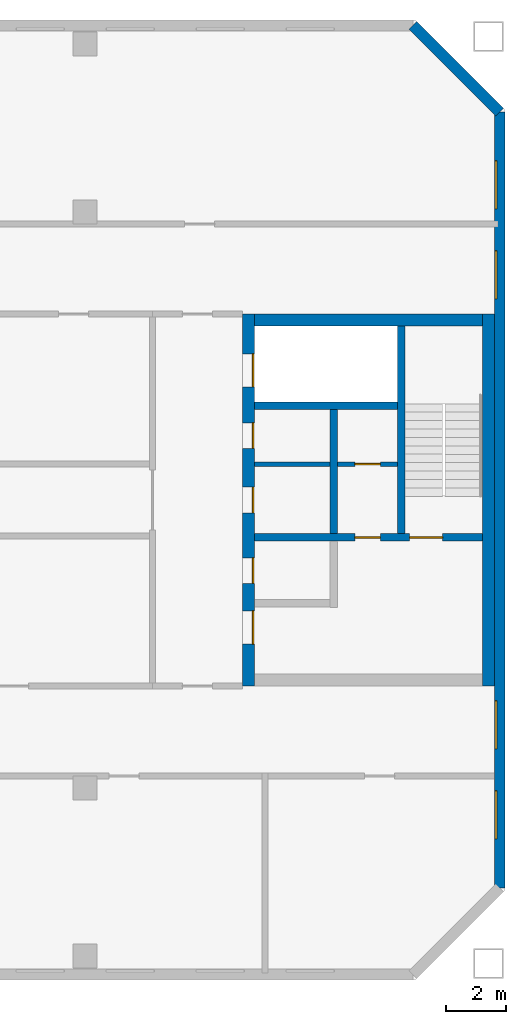
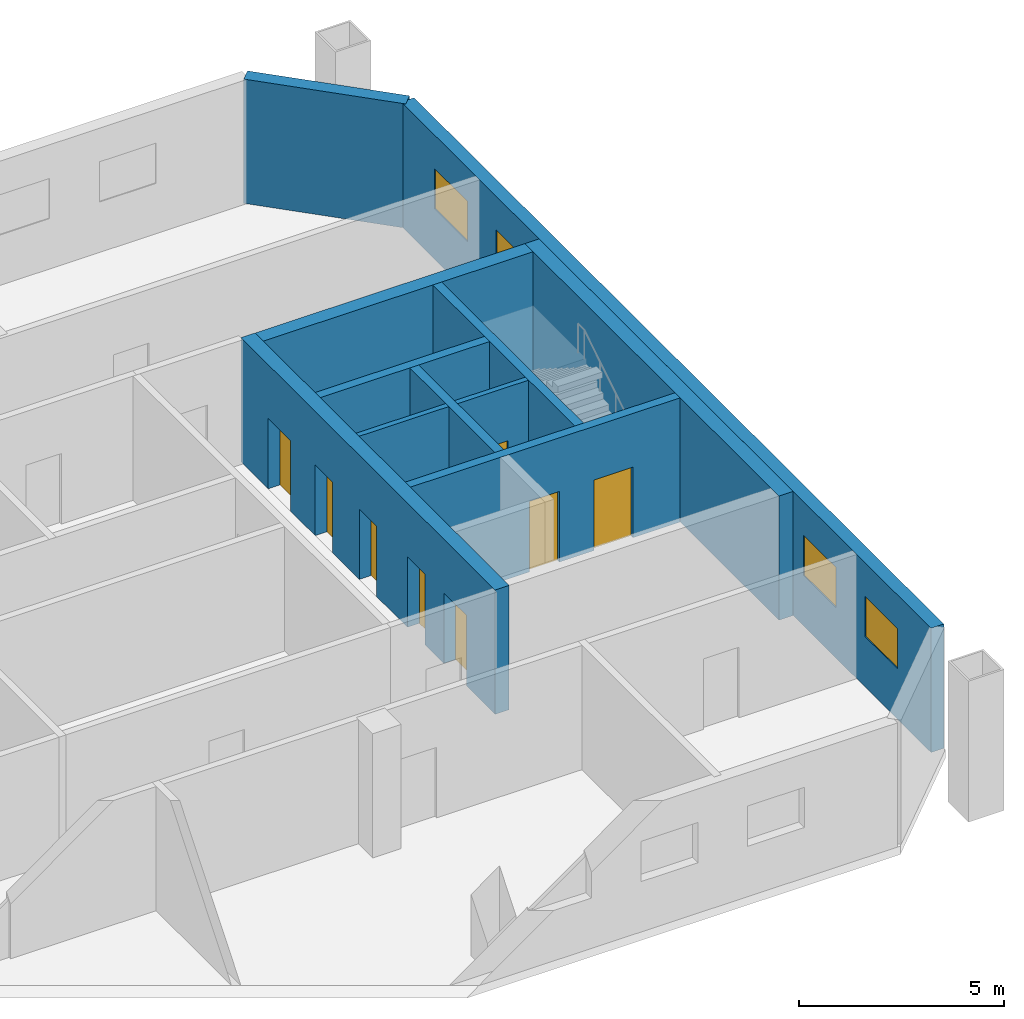
# One storey, part 11 of 13: 11 walls, 8 doors, 4 windows, 12 openings.
"""IFC4 building model written with IfcOpenShell, lengths in metres."""

import ifcopenshell
import ifcopenshell.guid

model = None  # the IFC model being written
_history = None  # IfcOwnerHistory: only IFC2X3 demands one
_inside = {}  # id of a spatial element -> (the spatial element, [elements in it])
_under = {}  # id of a project, library or spatial element -> (it, [spatial elements below it])
_declared = {}  # id of a project -> (the project, [libraries it declares])
_typed = {}  # id of a type object -> (the type object, [elements of that type])
_made_of = {}  # id of a material, layer set ... -> (it, [elements and type objects made of it])


def new_model(schema):
    """Start an empty IFC model of exactly this schema.

    Asked for "IFC4X3", IfcOpenShell would pick the latest addendum, in which some entities
    have other attributes; the version numbers below select the first issue.
    IFC2X3 requires an IfcOwnerHistory on every rooted entity: one is made here for all.
    """
    global model, _history
    if schema == "IFC4X3":
        model = ifcopenshell.file(schema_version=(4, 3, 0, 0))
    else:
        model = ifcopenshell.file(schema=schema)
    _inside.clear()
    _under.clear()
    _declared.clear()
    _typed.clear()
    _made_of.clear()
    _history = None
    if model.schema == "IFC2X3":
        org = make("IfcOrganization", Name="unknown")
        user = make(
            "IfcPersonAndOrganization",
            ThePerson=make("IfcPerson", FamilyName="unknown"),
            TheOrganization=org,
        )
        app = make(
            "IfcApplication",
            ApplicationDeveloper=org,
            Version="unknown",
            ApplicationFullName="unknown",
            ApplicationIdentifier="unknown",
        )
        _history = make(
            "IfcOwnerHistory",
            OwningUser=user,
            OwningApplication=app,
            ChangeAction="ADDED",
            CreationDate=0,
        )
    return model


def make(cls, **values):
    """One entity of the class cls with the attributes given. An attribute that is None is left unset."""
    return model.create_entity(
        cls, **{name: value for name, value in values.items() if value is not None}
    )


def rooted(cls, **values):
    """An entity with a GlobalId (a new one), such as an element, a storey or a relation."""
    return make(cls, GlobalId=ifcopenshell.guid.new(), OwnerHistory=_history, **values)


def si_unit(unit_type, name, prefix=None):
    """IfcSIUnit, for example si_unit("LENGTHUNIT", "METRE", prefix="MILLI")."""
    return make("IfcSIUnit", UnitType=unit_type, Prefix=prefix, Name=name)


def assignment(units):
    """IfcUnitAssignment: the units of a project."""
    return None if units is None else make("IfcUnitAssignment", Units=units)


def point(xyz):
    """IfcCartesianPoint."""
    return None if xyz is None else make("IfcCartesianPoint", Coordinates=xyz)


def direction(xyz):
    """IfcDirection."""
    return None if xyz is None else make("IfcDirection", DirectionRatios=xyz)


def frame(location, z_axis=None, x_axis=None):
    """IfcAxis2Placement3D, a coordinate frame: its origin and axes. An axis left out is left unset."""
    return make(
        "IfcAxis2Placement3D",
        Location=point(location),
        Axis=direction(z_axis),
        RefDirection=direction(x_axis),
    )


def frame_2d(location, x_axis=None):
    """IfcAxis2Placement2D, a coordinate frame in the plane: its origin and x axis."""
    return make(
        "IfcAxis2Placement2D", Location=point(location), RefDirection=direction(x_axis)
    )


def origin():
    """The frame at (0, 0, 0) with its axes left unset."""
    return frame((0.0, 0.0, 0.0))


def place(relative_to, where):
    """IfcLocalPlacement: puts the frame where relative to a parent placement (None: the world)."""
    return make(
        "IfcLocalPlacement", PlacementRelTo=relative_to, RelativePlacement=where
    )


def context(
    kind, dimensions, precision=None, world=None, true_north=None, identifier=None
):
    """IfcGeometricRepresentationContext, for example the 3D "Model" context."""
    return make(
        "IfcGeometricRepresentationContext",
        ContextIdentifier=identifier,
        ContextType=kind,
        CoordinateSpaceDimension=dimensions,
        Precision=precision,
        WorldCoordinateSystem=world,
        TrueNorth=true_north,
    )


def subcontext(parent, identifier, kind, view, scale=None):
    """IfcGeometricRepresentationSubContext, for example "Body" below "Model"."""
    return make(
        "IfcGeometricRepresentationSubContext",
        ContextIdentifier=identifier,
        ContextType=kind,
        ParentContext=parent,
        TargetScale=scale,
        TargetView=view,
    )


def project(units=None, contexts=None):
    """IfcProject with its units and contexts."""
    return rooted(
        "IfcProject",
        Name="project",
        RepresentationContexts=contexts,
        UnitsInContext=assignment(units),
    )


def spatial(cls, under=None, at=None, **own):
    """A site, building, storey or space (cls), placed at a placement, below another one or the project."""
    s = rooted(cls, ObjectPlacement=at, **own)
    if under is not None:
        _under.setdefault(under.id(), (under, []))[1].append(s)
    return s


def profile(cls, at=None, kind="AREA", **sizes):
    """A parametric profile (cls). Its sizes go by their IFC names, for example OverallWidth=200.0."""
    return make(cls, ProfileType=kind, Position=at, **sizes)


def rectangle(**sizes):
    """IfcRectangleProfileDef."""
    return profile("IfcRectangleProfileDef", **sizes)


def extrude(swept, where, along, depth):
    """IfcExtrudedAreaSolid: the profile swept, set in the frame where, extruded along a direction by depth."""
    return make(
        "IfcExtrudedAreaSolid",
        SweptArea=swept,
        Position=where,
        ExtrudedDirection=direction(along),
        Depth=depth,
    )


def shape(context_of_items, identifier, shape_type, items):
    """IfcShapeRepresentation: the items that make up one representation, for example the "Body"."""
    return make(
        "IfcShapeRepresentation",
        ContextOfItems=context_of_items,
        RepresentationIdentifier=identifier,
        RepresentationType=shape_type,
        Items=items,
    )


def material(Name=None, Category=None):
    """IfcMaterial."""
    return make("IfcMaterial", Name=Name, Category=Category)


def layer(
    of_material, thickness, ventilated=None, Name=None, Category=None, Priority=None
):
    """IfcMaterialLayer: one layer of a wall or slab, of a material (None: an air gap)."""
    return make(
        "IfcMaterialLayer",
        Material=of_material,
        LayerThickness=thickness,
        IsVentilated=ventilated,
        Name=Name,
        Category=Category,
        Priority=Priority,
    )


def layer_set(layers, Name=None):
    """IfcMaterialLayerSet."""
    return make("IfcMaterialLayerSet", MaterialLayers=layers, LayerSetName=Name)


def made_of(thing, what):
    """Note that an element or type object is made of a material, layer set ...; save() writes the relation."""
    if what is not None:
        _made_of.setdefault(what.id(), (what, []))[1].append(thing)
    return thing


def type_object(cls, material=None, **own):
    """A type object (cls), such as IfcWallType, which elements share."""
    return made_of(rooted(cls, **own), material)


def element(
    cls,
    number,
    at=None,
    inside=None,
    cuts=None,
    type_object=None,
    material=None,
    context=None,
    identifier="Body",
    shape_type=None,
    held_by="IfcProductDefinitionShape",
    body=None,
    shapes=None,
    **own,
):
    """One element of the class cls, such as IfcWall. Its Tag is "e" and its number.

    at: its placement. inside: the storey or other place that contains it. cuts: it is an
    opening in that element (IfcRelVoidsElement). A single representation is given by context,
    identifier, shape_type and body (its items); several are given by shapes. held_by: the class
    of the entity that holds the representations. save() writes the other relations.
    """
    e = rooted(cls, Tag="e%d" % number, ObjectPlacement=at, **own)
    if body is not None:
        shapes = [shape(context, identifier, shape_type, body)]
    if shapes is not None:
        e.Representation = make(held_by, Representations=shapes)
    if inside is not None:
        _inside.setdefault(inside.id(), (inside, []))[1].append(e)
    if cuts is not None:
        rooted(
            "IfcRelVoidsElement", RelatingBuildingElement=cuts, RelatedOpeningElement=e
        )
    if type_object is not None:
        _typed.setdefault(type_object.id(), (type_object, []))[1].append(e)
    return made_of(e, material)


def fill(opening, filler):
    """IfcRelFillsElement: the door or window that sits in an opening."""
    return rooted(
        "IfcRelFillsElement",
        RelatingOpeningElement=opening,
        RelatedBuildingElement=filler,
    )


def aggregate(whole, parts):
    """IfcRelAggregates: a whole, such as a stair, and the parts it consists of."""
    return rooted("IfcRelAggregates", RelatingObject=whole, RelatedObjects=parts)


def save(model, path):
    """Write the relations noted so far, then the file.

    IfcRelAggregates (storeys below a building ...), IfcRelContainedInSpatialStructure (elements
    in a storey), IfcRelDefinesByType, IfcRelAssociatesMaterial and IfcRelDeclares: one each for
    every whole, place, type object, material and project.
    """
    for whole, parts in _under.values():
        aggregate(whole, parts)
    for where, things in _inside.values():
        rooted(
            "IfcRelContainedInSpatialStructure",
            RelatedElements=things,
            RelatingStructure=where,
        )
    for kind, things in _typed.values():
        rooted("IfcRelDefinesByType", RelatedObjects=things, RelatingType=kind)
    for what, things in _made_of.values():
        rooted("IfcRelAssociatesMaterial", RelatedObjects=things, RelatingMaterial=what)
    for by, libraries in _declared.values():
        rooted("IfcRelDeclares", RelatingContext=by, RelatedDefinitions=libraries)
    model.write(path)


model = new_model("IFC4")

# Units and contexts
model_context = context("Model", 3, precision=1e-05, world=origin(), true_north=direction((0.0, 1.0)))
body_context = subcontext(model_context, "Body", "Model", "MODEL_VIEW")
ifc_project = project(units=[si_unit("LENGTHUNIT", "METRE"), si_unit("AREAUNIT", "SQUARE_METRE"), si_unit("VOLUMEUNIT", "CUBIC_METRE"), si_unit("PLANEANGLEUNIT", "RADIAN"), si_unit("MASSUNIT", "GRAM", prefix="KILO")], contexts=[model_context])

# Site, building, storey
site_placement = place(None, origin())
site = spatial("IfcSite", under=ifc_project, at=site_placement, CompositionType="ELEMENT")
building_placement = place(site_placement, origin())
building = spatial("IfcBuilding", under=site, at=building_placement, Name="Tuart Gate Housing", CompositionType="ELEMENT")
storey_placement = place(building_placement, frame((0.0, 0.0, 198.60009765625)))
storey = spatial("IfcBuildingStorey", under=building, at=storey_placement, Name="L56", CompositionType="ELEMENT", Elevation=198.60009765625)

# Wall, openings, windows
ifc_material_1 = material(Name="Brick", Category="masonry")
ifc_layer_1 = layer(ifc_material_1, 0.360107421875)
ifc_layer_set_1 = layer_set([ifc_layer_1], Name="Brick pier and spandrel wall 360")
wall_type_1 = type_object("IfcWallType", Name="Brick pier and spandrel wall 360", PredefinedType="STANDARD", material=ifc_layer_set_1)
wall_1_placement = place(storey_placement, frame((168.820068359375, 57.07470703125, 0.0), z_axis=(0.0, 0.0, 1.0), x_axis=(0.0, 1.0, 0.0)))
wall_1 = element("IfcWall", 1, at=wall_1_placement, inside=storey, type_object=wall_type_1, Name="External wall BLK-E L56", PredefinedType="STANDARD", context=body_context, shape_type="SweptSolid", body=[
    extrude(rectangle(XDim=25.850830078125, YDim=0.360107421875, at=frame_2d((12.92529296875, 0.0))), origin(), (0.0, 0.0, 1.0), 3.699951171875),
])
opening_1_placement = place(wall_1_placement, frame((1.62548828125, 0.0, 1.5)))
opening_1 = element("IfcOpeningElement", 2, at=opening_1_placement, cuts=wall_1, Name="Opening W3", PredefinedType="OPENING", context=body_context, shape_type="SweptSolid", body=[
    extrude(rectangle(XDim=1.60009765625, YDim=1.199951171875, at=frame_2d((0.800048828125, 0.60009765625))), frame((0.0, 0.18994140625, 0.0), z_axis=(0.0, -1.0, 0.0), x_axis=(1.0, 0.0, 0.0)), (0.0, 0.0, 1.0), 0.380126953125),
])
opening_2_placement = place(wall_1_placement, frame((4.62548828125, 0.0, 1.5)))
opening_2 = element("IfcOpeningElement", 3, at=opening_2_placement, cuts=wall_1, Name="Opening W3", PredefinedType="OPENING", context=body_context, shape_type="SweptSolid", body=[
    extrude(rectangle(XDim=1.60009765625, YDim=1.199951171875, at=frame_2d((0.800048828125, 0.60009765625))), frame((0.0, 0.18994140625, 0.0), z_axis=(0.0, -1.0, 0.0), x_axis=(1.0, 0.0, 0.0)), (0.0, 0.0, 1.0), 0.380126953125),
])
opening_3_placement = place(wall_1_placement, frame((19.62548828125, 0.0, 1.5)))
opening_3 = element("IfcOpeningElement", 4, at=opening_3_placement, cuts=wall_1, Name="Opening W3", PredefinedType="OPENING", context=body_context, shape_type="SweptSolid", body=[
    extrude(rectangle(XDim=1.60009765625, YDim=1.199951171875, at=frame_2d((0.800048828125, 0.60009765625))), frame((0.0, 0.18994140625, 0.0), z_axis=(0.0, -1.0, 0.0), x_axis=(1.0, 0.0, 0.0)), (0.0, 0.0, 1.0), 0.380126953125),
])
opening_4_placement = place(wall_1_placement, frame((22.62548828125, 0.0, 1.5)))
opening_4 = element("IfcOpeningElement", 5, at=opening_4_placement, cuts=wall_1, Name="Opening W3", PredefinedType="OPENING", context=body_context, shape_type="SweptSolid", body=[
    extrude(rectangle(XDim=1.60009765625, YDim=1.199951171875, at=frame_2d((0.800048828125, 0.60009765625))), frame((0.0, 0.18994140625, 0.0), z_axis=(0.0, -1.0, 0.0), x_axis=(1.0, 0.0, 0.0)), (0.0, 0.0, 1.0), 0.380126953125),
])
ifc_material_2 = material(Name="Aluminium louvre blades", Category="aluminium")
window_type = type_object("IfcWindowType", Name="Louvre window 1600 x 1200", PartitioningType="DOUBLE_PANEL_HORIZONTAL", PredefinedType="WINDOW", material=ifc_material_2)
window_1_placement = place(opening_1_placement, origin())
window_1 = element("IfcWindow", 6, at=window_1_placement, inside=storey, type_object=window_type, Name="Louvre W3", OverallHeight=1.199951171875, OverallWidth=1.60009765625, PartitioningType="DOUBLE_PANEL_HORIZONTAL", PredefinedType="WINDOW", context=body_context, shape_type="SweptSolid", body=[
    extrude(rectangle(XDim=1.60009765625, YDim=1.199951171875, at=frame_2d((0.800048828125, 0.60009765625))), frame((0.0, 0.150146484375, 0.0), z_axis=(0.0, -1.0, 0.0), x_axis=(1.0, 0.0, 0.0)), (0.0, 0.0, 1.0), 0.06005859375),
])
fill(opening_1, window_1)
window_2_placement = place(opening_2_placement, origin())
window_2 = element("IfcWindow", 7, at=window_2_placement, inside=storey, type_object=window_type, Name="Louvre W3", OverallHeight=1.199951171875, OverallWidth=1.60009765625, PartitioningType="DOUBLE_PANEL_HORIZONTAL", PredefinedType="WINDOW", context=body_context, shape_type="SweptSolid", body=[
    extrude(rectangle(XDim=1.60009765625, YDim=1.199951171875, at=frame_2d((0.800048828125, 0.60009765625))), frame((0.0, 0.150146484375, 0.0), z_axis=(0.0, -1.0, 0.0), x_axis=(1.0, 0.0, 0.0)), (0.0, 0.0, 1.0), 0.06005859375),
])
fill(opening_2, window_2)
window_3_placement = place(opening_3_placement, origin())
window_3 = element("IfcWindow", 8, at=window_3_placement, inside=storey, type_object=window_type, Name="Louvre W3", OverallHeight=1.199951171875, OverallWidth=1.60009765625, PartitioningType="DOUBLE_PANEL_HORIZONTAL", PredefinedType="WINDOW", context=body_context, shape_type="SweptSolid", body=[
    extrude(rectangle(XDim=1.60009765625, YDim=1.199951171875, at=frame_2d((0.800048828125, 0.60009765625))), frame((0.0, 0.150146484375, 0.0), z_axis=(0.0, -1.0, 0.0), x_axis=(1.0, 0.0, 0.0)), (0.0, 0.0, 1.0), 0.06005859375),
])
fill(opening_3, window_3)
window_4_placement = place(opening_4_placement, origin())
window_4 = element("IfcWindow", 9, at=window_4_placement, inside=storey, type_object=window_type, Name="Louvre W3", OverallHeight=1.199951171875, OverallWidth=1.60009765625, PartitioningType="DOUBLE_PANEL_HORIZONTAL", PredefinedType="WINDOW", context=body_context, shape_type="SweptSolid", body=[
    extrude(rectangle(XDim=1.60009765625, YDim=1.199951171875, at=frame_2d((0.800048828125, 0.60009765625))), frame((0.0, 0.150146484375, 0.0), z_axis=(0.0, -1.0, 0.0), x_axis=(1.0, 0.0, 0.0)), (0.0, 0.0, 1.0), 0.06005859375),
])
fill(opening_4, window_4)

# Walls
wall_2_placement = place(storey_placement, frame((168.820068359375, 82.92529296875, 0.0), z_axis=(0.0, 0.0, 1.0), x_axis=(-0.707106781187, 0.707106781187, 0.0)))
element("IfcWall", 10, at=wall_2_placement, inside=storey, type_object=wall_type_1, Name="External wall BLK-NE L56", PredefinedType="STANDARD", context=body_context, shape_type="SweptSolid", body=[
    extrude(rectangle(XDim=4.09375, YDim=0.360107421875, at=frame_2d((2.046875, 0.0))), origin(), (0.0, 0.0, 1.0), 3.699951171875),
])
ifc_material_3 = material(Name="Plasterboard partition")
ifc_layer_2 = layer(ifc_material_3, 0.14990234375)
ifc_layer_set_2 = layer_set([ifc_layer_2], Name="Core partition 150")
wall_type_2 = type_object("IfcWallType", Name="Core partition 150", PredefinedType="PARTITIONING", material=ifc_layer_set_2)
wall_3_placement = place(storey_placement, frame((160.639892578125, 71.199951171875, 0.0), z_axis=(0.0, 0.0, 1.0), x_axis=(1.0, 0.0, 0.0)))
element("IfcWall", 11, at=wall_3_placement, inside=storey, type_object=wall_type_2, Name="Core partition BK.2", PredefinedType="PARTITIONING", context=body_context, shape_type="SweptSolid", body=[
    extrude(rectangle(XDim=2.525146484375, YDim=0.14990234375, at=frame_2d((1.2626953125, 0.0))), origin(), (0.0, 0.0, 1.0), 3.699951171875),
])

# Wall, opening, door
wall_4_placement = place(storey_placement, frame((163.4150390625, 71.199951171875, 0.0), z_axis=(0.0, 0.0, 1.0), x_axis=(1.0, 0.0, 0.0)))
wall_4 = element("IfcWall", 12, at=wall_4_placement, inside=storey, type_object=wall_type_2, Name="Core partition BK.3", PredefinedType="PARTITIONING", context=body_context, shape_type="SweptSolid", body=[
    extrude(rectangle(XDim=2.0, YDim=0.14990234375, at=frame_2d((1.0, 0.0))), origin(), (0.0, 0.0, 1.0), 3.699951171875),
])
opening_5_placement = place(wall_4_placement, frame((0.574951171875, 0.0, 0.0)))
opening_5 = element("IfcOpeningElement", 13, at=opening_5_placement, cuts=wall_4, Name="Opening D3620", PredefinedType="OPENING", context=body_context, shape_type="SweptSolid", body=[
    extrude(rectangle(XDim=0.85009765625, YDim=2.10009765625, at=frame_2d((0.425048828125, 1.050048828125))), frame((0.0, 0.0849609375, 0.0), z_axis=(0.0, -1.0, 0.0), x_axis=(1.0, 0.0, 0.0)), (0.0, 0.0, 1.0), 0.169921875),
])
ifc_material_4 = material(Name="Steel fire door", Category="steel")
door_type_1 = type_object("IfcDoorType", Name="Service door 850 x 2100 RH", OperationType="SINGLE_SWING_RIGHT", PredefinedType="DOOR", material=ifc_material_4)
door_1_placement = place(opening_5_placement, frame((0.85009765625, 0.0, 0.0), z_axis=(0.0, 0.0, 1.0), x_axis=(-1.0, 0.0, 0.0)))
door_1 = element("IfcDoor", 14, at=door_1_placement, inside=storey, type_object=door_type_1, Name="Service room door BK.W2", OperationType="SINGLE_SWING_RIGHT", OverallHeight=2.10009765625, OverallWidth=0.85009765625, PredefinedType="DOOR", context=body_context, shape_type="SweptSolid", body=[
    extrude(rectangle(XDim=0.85009765625, YDim=2.10009765625, at=frame_2d((0.425048828125, 1.050048828125))), frame((0.0, 0.025146484375, 0.0), z_axis=(0.0, -1.0, 0.0), x_axis=(1.0, 0.0, 0.0)), (0.0, 0.0, 1.0), 0.050048828125),
])
fill(opening_5, door_1)

# Wall
ifc_material_5 = material(Name="Concrete C40", Category="concrete")
ifc_layer_3 = layer(ifc_material_5, 0.25)
ifc_layer_set_3 = layer_set([ifc_layer_3], Name="Core wall 250 C40")
wall_type_3 = type_object("IfcWallType", Name="Core wall 250 C40", PredefinedType="SHEAR", material=ifc_layer_set_3)
wall_5_placement = place(storey_placement, frame((160.639892578125, 73.14990234375, 0.0), z_axis=(0.0, 0.0, 1.0), x_axis=(1.0, 0.0, 0.0)))
element("IfcWall", 15, at=wall_5_placement, inside=storey, type_object=wall_type_3, Name="Core wall BK.1", PredefinedType="SHEAR", context=body_context, shape_type="SweptSolid", body=[
    extrude(rectangle(XDim=4.775146484375, YDim=0.25, at=frame_2d((2.3876953125, 0.0))), origin(), (0.0, 0.0, 1.0), 3.699951171875),
])

# Wall, openings, doors
wall_6_placement = place(storey_placement, frame((160.639892578125, 68.75, 0.0), z_axis=(0.0, 0.0, 1.0), x_axis=(1.0, 0.0, 0.0)))
wall_6 = element("IfcWall", 16, at=wall_6_placement, inside=storey, type_object=wall_type_3, Name="Core wall BK.4", PredefinedType="SHEAR", context=body_context, shape_type="SweptSolid", body=[
    extrude(rectangle(XDim=7.60009765625, YDim=0.25, at=frame_2d((3.800048828125, 0.0))), origin(), (0.0, 0.0, 1.0), 3.699951171875),
])
opening_6_placement = place(wall_6_placement, frame((5.175048828125, 0.0, 0.0)))
opening_6 = element("IfcOpeningElement", 17, at=opening_6_placement, cuts=wall_6, Name="Opening D3631", PredefinedType="OPENING", context=body_context, shape_type="SweptSolid", body=[
    extrude(rectangle(XDim=1.10009765625, YDim=2.10009765625, at=frame_2d((0.550048828125, 1.050048828125))), frame((0.0, 0.135009765625, 0.0), z_axis=(0.0, -1.0, 0.0), x_axis=(1.0, 0.0, 0.0)), (0.0, 0.0, 1.0), 0.27001953125),
])
opening_7_placement = place(wall_6_placement, frame((3.35009765625, 0.0, 0.0)))
opening_7 = element("IfcOpeningElement", 18, at=opening_7_placement, cuts=wall_6, Name="Opening D3630", PredefinedType="OPENING", context=body_context, shape_type="SweptSolid", body=[
    extrude(rectangle(XDim=0.85009765625, YDim=2.10009765625, at=frame_2d((0.425048828125, 1.050048828125))), frame((0.0, 0.135009765625, 0.0), z_axis=(0.0, -1.0, 0.0), x_axis=(1.0, 0.0, 0.0)), (0.0, 0.0, 1.0), 0.27001953125),
])
ifc_material_6 = material(Name="Steel fire door", Category="steel")
door_type_2 = type_object("IfcDoorType", Name="Riser door 850 x 2100", OperationType="SINGLE_SWING_LEFT", PredefinedType="DOOR", material=ifc_material_6)
door_2_placement = place(opening_7_placement, origin())
door_2 = element("IfcDoor", 19, at=door_2_placement, inside=storey, type_object=door_type_2, Name="Service room door BK.W1", OperationType="SINGLE_SWING_LEFT", OverallHeight=2.10009765625, OverallWidth=0.85009765625, PredefinedType="DOOR", context=body_context, shape_type="SweptSolid", body=[
    extrude(rectangle(XDim=0.85009765625, YDim=2.10009765625, at=frame_2d((0.425048828125, 1.050048828125))), frame((0.0, 0.02490234375, 0.0), z_axis=(0.0, -1.0, 0.0), x_axis=(1.0, 0.0, 0.0)), (0.0, 0.0, 1.0), 0.050048828125),
])
fill(opening_7, door_2)
ifc_material_7 = material(Name="Steel fire door", Category="steel")
door_type_3 = type_object("IfcDoorType", Name="Stair door 1100 x 2100", OperationType="SINGLE_SWING_LEFT", PredefinedType="DOOR", material=ifc_material_7)
door_3_placement = place(opening_6_placement, origin())
door_3 = element("IfcDoor", 20, at=door_3_placement, inside=storey, type_object=door_type_3, Name="Stair door BK.SD", OperationType="SINGLE_SWING_LEFT", OverallHeight=2.10009765625, OverallWidth=1.10009765625, PredefinedType="DOOR", context=body_context, shape_type="SweptSolid", body=[
    extrude(rectangle(XDim=1.10009765625, YDim=2.10009765625, at=frame_2d((0.550048828125, 1.050048828125))), frame((0.0, 0.02490234375, 0.0), z_axis=(0.0, -1.0, 0.0), x_axis=(1.0, 0.0, 0.0)), (0.0, 0.0, 1.0), 0.050048828125),
])
fill(opening_6, door_3)

# Walls
wall_7_placement = place(storey_placement, frame((163.2900390625, 73.02490234375, 0.0), z_axis=(0.0, 0.0, 1.0), x_axis=(0.0, -1.0, 0.0)))
element("IfcWall", 21, at=wall_7_placement, inside=storey, type_object=wall_type_3, Name="Core wall BK.6", PredefinedType="SHEAR", context=body_context, shape_type="SweptSolid", body=[
    extrude(rectangle(XDim=4.14990234375, YDim=0.25, at=frame_2d((2.074951171875, 0.0))), origin(), (0.0, 0.0, 1.0), 3.699951171875),
])
wall_8_placement = place(storey_placement, frame((165.5400390625, 75.800048828125, 0.0), z_axis=(0.0, 0.0, 1.0), x_axis=(0.0, -1.0, 0.0)))
element("IfcWall", 22, at=wall_8_placement, inside=storey, type_object=wall_type_3, Name="Core wall BK.8", PredefinedType="SHEAR", context=body_context, shape_type="SweptSolid", body=[
    extrude(rectangle(XDim=6.925048828125, YDim=0.25, at=frame_2d((3.46240234375, 0.0))), origin(), (0.0, 0.0, 1.0), 3.699951171875),
])

# Wall, openings, doors
ifc_material_8 = material(Name="Concrete C40", Category="concrete")
ifc_layer_4 = layer(ifc_material_8, 0.39990234375)
ifc_layer_set_4 = layer_set([ifc_layer_4], Name="Core wall 400 C40")
wall_type_4 = type_object("IfcWallType", Name="Core wall 400 C40", PredefinedType="SHEAR", material=ifc_layer_set_4)
wall_9_placement = place(storey_placement, frame((160.43994140625, 76.199951171875, 0.0), z_axis=(0.0, 0.0, 1.0), x_axis=(0.0, -1.0, 0.0)))
wall_9 = element("IfcWall", 23, at=wall_9_placement, inside=storey, type_object=wall_type_4, Name="Core wall BK front", PredefinedType="SHEAR", context=body_context, shape_type="SweptSolid", body=[
    extrude(rectangle(XDim=12.39990234375, YDim=0.39990234375, at=frame_2d((6.199951171875, 0.0))), origin(), (0.0, 0.0, 1.0), 3.699951171875),
])
opening_8_placement = place(wall_9_placement, frame((1.324951171875, 0.0, 0.0)))
opening_8 = element("IfcOpeningElement", 24, at=opening_8_placement, cuts=wall_9, Name="Opening LD-FB2", PredefinedType="OPENING", context=body_context, shape_type="SweptSolid", body=[
    extrude(rectangle(XDim=1.10009765625, YDim=2.10009765625, at=frame_2d((0.550048828125, 1.050048828125))), frame((0.0, 0.2099609375, 0.0), z_axis=(0.0, -1.0, 0.0), x_axis=(1.0, 0.0, 0.0)), (0.0, 0.0, 1.0), 0.419921875),
])
opening_9_placement = place(wall_9_placement, frame((3.625, 0.0, 0.0)))
opening_9 = element("IfcOpeningElement", 25, at=opening_9_placement, cuts=wall_9, Name="Opening D3627", PredefinedType="OPENING", context=body_context, shape_type="SweptSolid", body=[
    extrude(rectangle(XDim=0.85009765625, YDim=2.10009765625, at=frame_2d((0.425048828125, 1.050048828125))), frame((0.0, 0.2099609375, 0.0), z_axis=(0.0, -1.0, 0.0), x_axis=(1.0, 0.0, 0.0)), (0.0, 0.0, 1.0), 0.419921875),
])
opening_10_placement = place(wall_9_placement, frame((5.77490234375, 0.0, 0.0)))
opening_10 = element("IfcOpeningElement", 26, at=opening_10_placement, cuts=wall_9, Name="Opening D3628", PredefinedType="OPENING", context=body_context, shape_type="SweptSolid", body=[
    extrude(rectangle(XDim=0.85009765625, YDim=2.10009765625, at=frame_2d((0.425048828125, 1.050048828125))), frame((0.0, 0.2099609375, 0.0), z_axis=(0.0, -1.0, 0.0), x_axis=(1.0, 0.0, 0.0)), (0.0, 0.0, 1.0), 0.419921875),
])
opening_11_placement = place(wall_9_placement, frame((9.89990234375, 0.0, 0.0)))
opening_11 = element("IfcOpeningElement", 27, at=opening_11_placement, cuts=wall_9, Name="Opening D3626", PredefinedType="OPENING", context=body_context, shape_type="SweptSolid", body=[
    extrude(rectangle(XDim=1.10009765625, YDim=2.10009765625, at=frame_2d((0.550048828125, 1.050048828125))), frame((0.0, 0.2099609375, 0.0), z_axis=(0.0, -1.0, 0.0), x_axis=(1.0, 0.0, 0.0)), (0.0, 0.0, 1.0), 0.419921875),
])
opening_12_placement = place(wall_9_placement, frame((8.125, 0.0, 0.0)))
opening_12 = element("IfcOpeningElement", 28, at=opening_12_placement, cuts=wall_9, Name="Opening D3629", PredefinedType="OPENING", context=body_context, shape_type="SweptSolid", body=[
    extrude(rectangle(XDim=0.85009765625, YDim=2.10009765625, at=frame_2d((0.425048828125, 1.050048828125))), frame((0.0, 0.2099609375, 0.0), z_axis=(0.0, -1.0, 0.0), x_axis=(1.0, 0.0, 0.0)), (0.0, 0.0, 1.0), 0.419921875),
])
ifc_material_9 = material(Name="Stainless steel", Category="steel")
door_type_4 = type_object("IfcDoorType", Name="Landing door 1100 x 2100", OperationType="DOUBLE_DOOR_SLIDING", PredefinedType="DOOR", material=ifc_material_9)
door_4_placement = place(opening_8_placement, origin())
door_4 = element("IfcDoor", 29, at=door_4_placement, inside=storey, type_object=door_type_4, Name="Lift landing door FB2", OperationType="DOUBLE_DOOR_SLIDING", OverallHeight=2.10009765625, OverallWidth=1.10009765625, PredefinedType="DOOR", context=body_context, shape_type="SweptSolid", body=[
    extrude(rectangle(XDim=1.10009765625, YDim=2.10009765625, at=frame_2d((0.550048828125, 1.050048828125))), frame((0.0, 0.18505859375, 0.0), z_axis=(0.0, -1.0, 0.0), x_axis=(1.0, 0.0, 0.0)), (0.0, 0.0, 1.0), 0.050048828125),
])
fill(opening_8, door_4)
ifc_material_10 = material(Name="Steel fire door", Category="steel")
door_type_5 = type_object("IfcDoorType", Name="Lobby door 1100 x 2100", OperationType="SINGLE_SWING_LEFT", PredefinedType="DOOR", material=ifc_material_10)
door_5_placement = place(opening_11_placement, origin())
door_5 = element("IfcDoor", 30, at=door_5_placement, inside=storey, type_object=door_type_5, Name="Lobby entry door BK.EN", OperationType="SINGLE_SWING_LEFT", OverallHeight=2.10009765625, OverallWidth=1.10009765625, PredefinedType="DOOR", context=body_context, shape_type="SweptSolid", body=[
    extrude(rectangle(XDim=1.10009765625, YDim=2.10009765625, at=frame_2d((0.550048828125, 1.050048828125))), frame((0.0, 0.18505859375, 0.0), z_axis=(0.0, -1.0, 0.0), x_axis=(1.0, 0.0, 0.0)), (0.0, 0.0, 1.0), 0.050048828125),
])
fill(opening_11, door_5)
ifc_material_11 = material(Name="Steel fire door", Category="steel")
door_type_6 = type_object("IfcDoorType", Name="Service door 850 x 2100", OperationType="SINGLE_SWING_LEFT", PredefinedType="DOOR", material=ifc_material_11)
door_6_placement = place(opening_9_placement, origin())
door_6 = element("IfcDoor", 31, at=door_6_placement, inside=storey, type_object=door_type_6, Name="Service room door BK.FR1", OperationType="SINGLE_SWING_LEFT", OverallHeight=2.10009765625, OverallWidth=0.85009765625, PredefinedType="DOOR", context=body_context, shape_type="SweptSolid", body=[
    extrude(rectangle(XDim=0.85009765625, YDim=2.10009765625, at=frame_2d((0.425048828125, 1.050048828125))), frame((0.0, 0.18505859375, 0.0), z_axis=(0.0, -1.0, 0.0), x_axis=(1.0, 0.0, 0.0)), (0.0, 0.0, 1.0), 0.050048828125),
])
fill(opening_9, door_6)
door_7_placement = place(opening_10_placement, origin())
door_7 = element("IfcDoor", 32, at=door_7_placement, inside=storey, type_object=door_type_6, Name="Service room door BK.FR2", OperationType="SINGLE_SWING_LEFT", OverallHeight=2.10009765625, OverallWidth=0.85009765625, PredefinedType="DOOR", context=body_context, shape_type="SweptSolid", body=[
    extrude(rectangle(XDim=0.85009765625, YDim=2.10009765625, at=frame_2d((0.425048828125, 1.050048828125))), frame((0.0, 0.18505859375, 0.0), z_axis=(0.0, -1.0, 0.0), x_axis=(1.0, 0.0, 0.0)), (0.0, 0.0, 1.0), 0.050048828125),
])
fill(opening_10, door_7)
door_8_placement = place(opening_12_placement, origin())
door_8 = element("IfcDoor", 33, at=door_8_placement, inside=storey, type_object=door_type_6, Name="Service room door BK.T1", OperationType="SINGLE_SWING_LEFT", OverallHeight=2.10009765625, OverallWidth=0.85009765625, PredefinedType="DOOR", context=body_context, shape_type="SweptSolid", body=[
    extrude(rectangle(XDim=0.85009765625, YDim=2.10009765625, at=frame_2d((0.425048828125, 1.050048828125))), frame((0.0, 0.18505859375, 0.0), z_axis=(0.0, -1.0, 0.0), x_axis=(1.0, 0.0, 0.0)), (0.0, 0.0, 1.0), 0.050048828125),
])
fill(opening_12, door_8)

# Walls
wall_10_placement = place(storey_placement, frame((168.43994140625, 76.199951171875, 0.0), z_axis=(0.0, 0.0, 1.0), x_axis=(0.0, -1.0, 0.0)))
element("IfcWall", 34, at=wall_10_placement, inside=storey, type_object=wall_type_4, Name="Core wall BK back", PredefinedType="SHEAR", context=body_context, shape_type="SweptSolid", body=[
    extrude(rectangle(XDim=12.39990234375, YDim=0.39990234375, at=frame_2d((6.199951171875, 0.0))), origin(), (0.0, 0.0, 1.0), 3.699951171875),
])
wall_11_placement = place(storey_placement, frame((160.639892578125, 76.0, 0.0), z_axis=(0.0, 0.0, 1.0), x_axis=(1.0, 0.0, 0.0)))
element("IfcWall", 35, at=wall_11_placement, inside=storey, type_object=wall_type_4, Name="Core wall BK south", PredefinedType="SHEAR", context=body_context, shape_type="SweptSolid", body=[
    extrude(rectangle(XDim=7.60009765625, YDim=0.39990234375, at=frame_2d((3.800048828125, 0.0))), origin(), (0.0, 0.0, 1.0), 3.699951171875),
])

save(model, "model.ifc")
